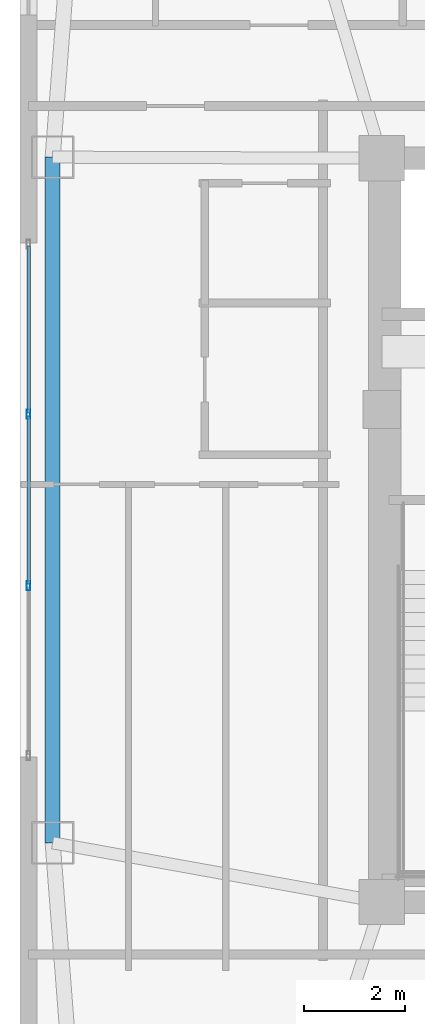
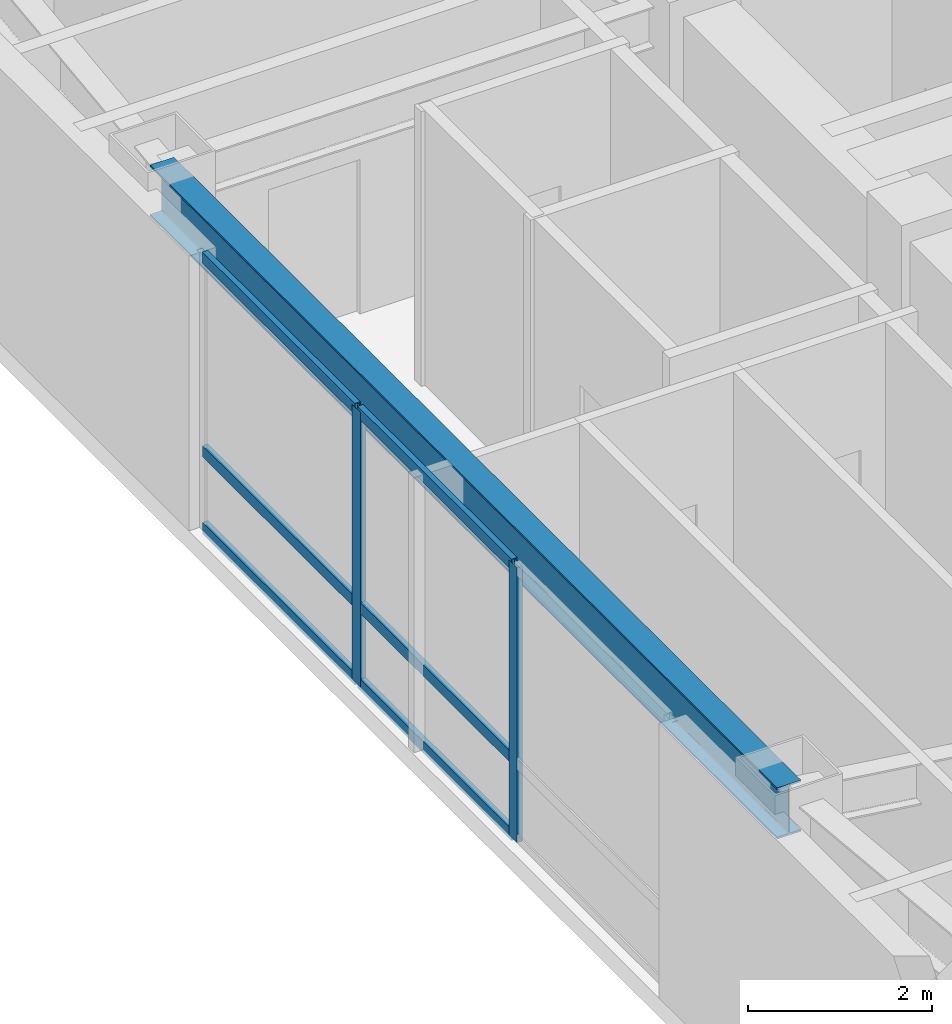
# One storey, part 6 of 29: 8 members, 1 beam, 1 element without a shape of its own.
"""IFC4 building model written with IfcOpenShell, lengths in metres."""

from ifc_helpers import new_model, si_unit, direction, frame, origin, origin_2d, place, context, subcontext, project, spatial, hollow_rectangle, i_section, extrude, material, layer, layer_set, material_profile, profile_set, type_object, element, aggregate, save


model = new_model("IFC4")

# Units and contexts
model_context = context("Model", 3, precision=1e-05, world=origin(), true_north=direction((0.0, 1.0)))
body_context = subcontext(model_context, "Body", "Model", "MODEL_VIEW")
ifc_project = project(units=[si_unit("LENGTHUNIT", "METRE"), si_unit("AREAUNIT", "SQUARE_METRE"), si_unit("VOLUMEUNIT", "CUBIC_METRE"), si_unit("PLANEANGLEUNIT", "RADIAN"), si_unit("MASSUNIT", "GRAM", prefix="KILO")], contexts=[model_context])

# Site, building, storey
site_placement = place(None, origin())
site = spatial("IfcSite", under=ifc_project, at=site_placement, CompositionType="ELEMENT")
building_placement = place(site_placement, origin())
building = spatial("IfcBuilding", under=site, at=building_placement, Name="Voryun Gate Residences", CompositionType="ELEMENT")
storey_placement = place(building_placement, frame((0.0, 0.0, 211.89990234375)))
storey = spatial("IfcBuildingStorey", under=building, at=storey_placement, Name="L52", CompositionType="ELEMENT", Elevation=211.89990234375)

# Beam
ifc_material_1 = material(Name="Steel SM355", Category="steel")
ifc_material_profile_1 = material_profile(ifc_material_1, i_section(OverallWidth=0.300048828125, OverallDepth=0.679931640625, WebThickness=0.013916015625, FlangeThickness=0.02490234375, FilletRadius=0.01806640625, at=origin_2d()), Name="H-680x300x14x25")
ifc_profile_set_1 = profile_set([ifc_material_profile_1], Name="Steel SM355")
beam_type = type_object("IfcBeamType", Name="BM_EXO_SPANDREL_M", PredefinedType="SPANDREL", material=ifc_profile_set_1)
beam_placement = place(storey_placement, frame((-25.75, 7.422119140625, 3.31005859375), z_axis=(0.0, -1.0, 0.0), x_axis=(1.0, 0.0, 0.0)))
element("IfcBeam", 1, at=beam_placement, inside=storey, type_object=beam_type, Name="BM-L52-SPAND-18", PredefinedType="SPANDREL", context=body_context, shape_type="SweptSolid", body=[
    extrude(i_section(OverallWidth=0.300048828125, OverallDepth=0.679931640625, WebThickness=0.013916015625, FlangeThickness=0.02490234375, FilletRadius=0.01806640625, at=origin_2d()), origin(), (0.0, 0.0, 1.0), 13.64404296875),
])

# Curtain wall, members
ifc_material_2 = material(Name="Anodised aluminium", Category="aluminium")
ifc_layer = layer(ifc_material_2, 0.18994140625, Name="CW_SYS_RES_B_DARK_GLASS")
ifc_layer_set = layer_set([ifc_layer], Name="Anodised aluminium")
curtain_wall_type = type_object("IfcCurtainWallType", Name="CW_SYS_RES_B_DARK_GLASS", PredefinedType="NOTDEFINED", material=ifc_layer_set)
curtain_wall_placement = place(storey_placement, origin())
curtain_wall = element("IfcCurtainWall", 2, at=curtain_wall_placement, inside=storey, type_object=curtain_wall_type, Name="Curtain wall CWT-L52-06", PredefinedType="NOTDEFINED")
ifc_material_3 = material(Name="Anodised aluminium", Category="aluminium")
ifc_material_profile_2 = material_profile(ifc_material_3, hollow_rectangle(XDim=0.070068359375, YDim=0.179931640625, WallThickness=0.00390625, at=origin_2d()), Name="ALU-MULL-180x70x4")
ifc_profile_set_2 = profile_set([ifc_material_profile_2], Name="Anodised aluminium")
member_type_1 = type_object("IfcMemberType", Name="CW_MULL_RES", PredefinedType="MULLION", material=ifc_profile_set_2)
member_1_placement = place(storey_placement, frame((-26.22998046875, -1.10498046875, 0.0), z_axis=(0.0, 0.0, 1.0), x_axis=(-1.0, 0.0, 0.0)))
member_1 = element("IfcMember", 3, at=member_1_placement, type_object=member_type_1, Name="CW4 mullion 2", PredefinedType="MULLION", context=body_context, shape_type="SweptSolid", body=[
    extrude(hollow_rectangle(XDim=0.070068359375, YDim=0.179931640625, WallThickness=0.00390625, at=origin_2d()), origin(), (0.0, 0.0, 1.0), 3.650146484375),
])
member_2_placement = place(storey_placement, frame((-26.22998046875, 2.304931640625, 0.0), z_axis=(0.0, 0.0, 1.0), x_axis=(-1.0, 0.0, 0.0)))
member_2 = element("IfcMember", 4, at=member_2_placement, type_object=member_type_1, Name="CW4 mullion 3", PredefinedType="MULLION", context=body_context, shape_type="SweptSolid", body=[
    extrude(hollow_rectangle(XDim=0.070068359375, YDim=0.179931640625, WallThickness=0.00390625, at=origin_2d()), origin(), (0.0, 0.0, 1.0), 3.650146484375),
])
ifc_material_4 = material(Name="Anodised aluminium", Category="aluminium")
ifc_material_profile_3 = material_profile(ifc_material_4, hollow_rectangle(XDim=0.070068359375, YDim=0.14990234375, WallThickness=0.00390625, at=origin_2d()), Name="ALU-TRAN-150x70x4")
ifc_profile_set_3 = profile_set([ifc_material_profile_3], Name="Anodised aluminium")
member_type_2 = type_object("IfcMemberType", Name="CW_TRAN_RES", PredefinedType="USERDEFINED", material=ifc_profile_set_3)
member_3_placement = place(storey_placement, frame((-26.22998046875, -1.074951171875, 0.030029296875), z_axis=(0.0, 1.0, 0.0), x_axis=(-1.0, 0.0, 0.0)))
member_3 = element("IfcMember", 5, at=member_3_placement, type_object=member_type_2, Name="CW4 transom 2.1", ObjectType="TRANSOM", PredefinedType="USERDEFINED", context=body_context, shape_type="SweptSolid", body=[
    extrude(hollow_rectangle(XDim=0.070068359375, YDim=0.14990234375, WallThickness=0.00390625, at=origin_2d()), origin(), (0.0, 0.0, 1.0), 3.349853515625),
])
member_4_placement = place(storey_placement, frame((-26.22998046875, -1.074951171875, 1.050048828125), z_axis=(0.0, 1.0, 0.0), x_axis=(-1.0, 0.0, 0.0)))
member_4 = element("IfcMember", 6, at=member_4_placement, type_object=member_type_2, Name="CW4 transom 2.2", ObjectType="TRANSOM", PredefinedType="USERDEFINED", context=body_context, shape_type="SweptSolid", body=[
    extrude(hollow_rectangle(XDim=0.070068359375, YDim=0.14990234375, WallThickness=0.00390625, at=origin_2d()), origin(), (0.0, 0.0, 1.0), 3.349853515625),
])
member_5_placement = place(storey_placement, frame((-26.22998046875, -1.074951171875, 3.6201171875), z_axis=(0.0, 1.0, 0.0), x_axis=(-1.0, 0.0, 0.0)))
member_5 = element("IfcMember", 7, at=member_5_placement, type_object=member_type_2, Name="CW4 transom 2.3", ObjectType="TRANSOM", PredefinedType="USERDEFINED", context=body_context, shape_type="SweptSolid", body=[
    extrude(hollow_rectangle(XDim=0.070068359375, YDim=0.14990234375, WallThickness=0.00390625, at=origin_2d()), origin(), (0.0, 0.0, 1.0), 3.349853515625),
])
member_6_placement = place(storey_placement, frame((-26.22998046875, 2.3349609375, 0.030029296875), z_axis=(0.0, 1.0, 0.0), x_axis=(-1.0, 0.0, 0.0)))
member_6 = element("IfcMember", 8, at=member_6_placement, type_object=member_type_2, Name="CW4 transom 3.1", ObjectType="TRANSOM", PredefinedType="USERDEFINED", context=body_context, shape_type="SweptSolid", body=[
    extrude(hollow_rectangle(XDim=0.070068359375, YDim=0.14990234375, WallThickness=0.00390625, at=origin_2d()), origin(), (0.0, 0.0, 1.0), 3.31982421875),
])
member_7_placement = place(storey_placement, frame((-26.22998046875, 2.3349609375, 1.050048828125), z_axis=(0.0, 1.0, 0.0), x_axis=(-1.0, 0.0, 0.0)))
member_7 = element("IfcMember", 9, at=member_7_placement, type_object=member_type_2, Name="CW4 transom 3.2", ObjectType="TRANSOM", PredefinedType="USERDEFINED", context=body_context, shape_type="SweptSolid", body=[
    extrude(hollow_rectangle(XDim=0.070068359375, YDim=0.14990234375, WallThickness=0.00390625, at=origin_2d()), origin(), (0.0, 0.0, 1.0), 3.31982421875),
])
member_8_placement = place(storey_placement, frame((-26.22998046875, 2.3349609375, 3.6201171875), z_axis=(0.0, 1.0, 0.0), x_axis=(-1.0, 0.0, 0.0)))
member_8 = element("IfcMember", 10, at=member_8_placement, type_object=member_type_2, Name="CW4 transom 3.3", ObjectType="TRANSOM", PredefinedType="USERDEFINED", context=body_context, shape_type="SweptSolid", body=[
    extrude(hollow_rectangle(XDim=0.070068359375, YDim=0.14990234375, WallThickness=0.00390625, at=origin_2d()), origin(), (0.0, 0.0, 1.0), 3.31982421875),
])
aggregate(curtain_wall, [member_1, member_2, member_3, member_4, member_5, member_6, member_7, member_8])

save(model, "model.ifc")
